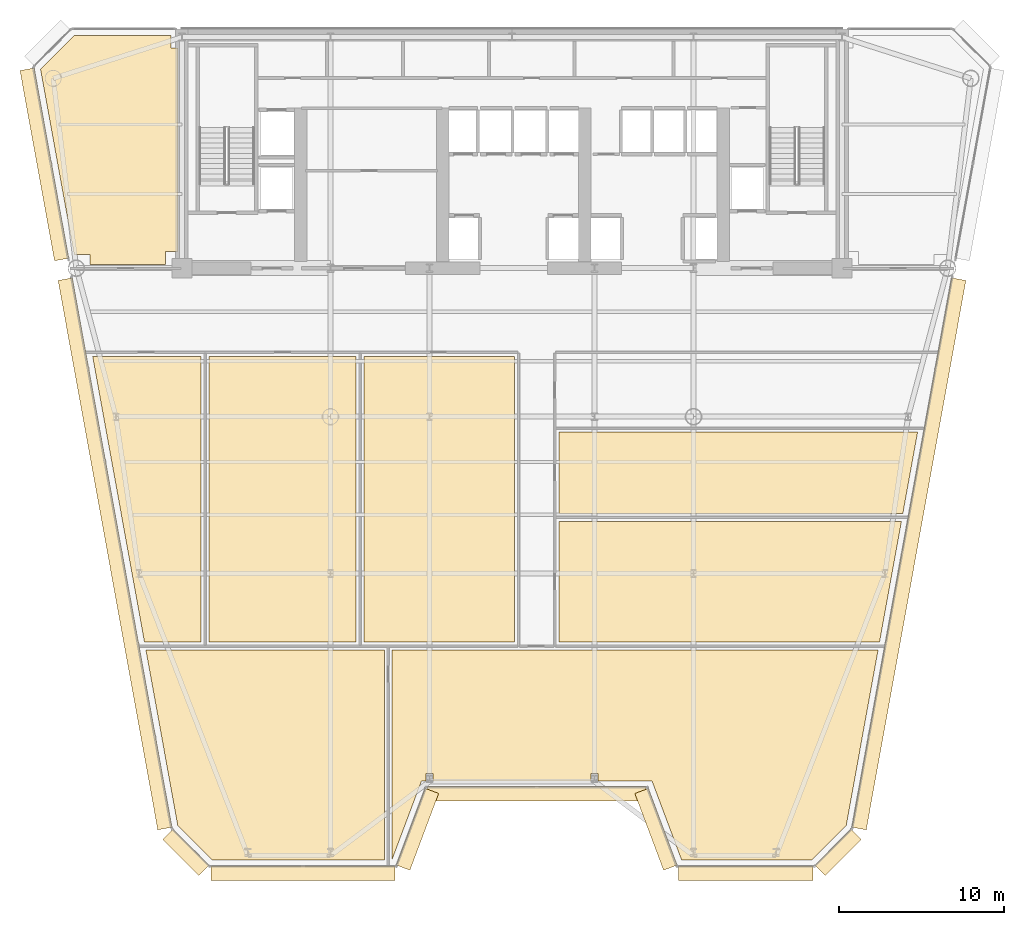
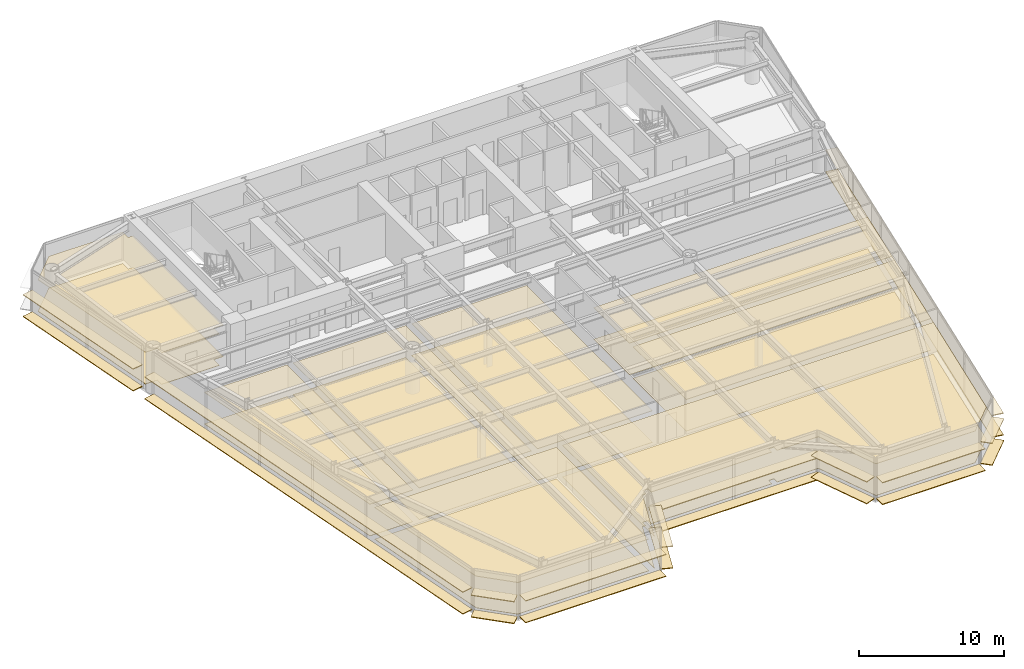
# One storey, part 11 of 14: 36 coverings.
"""IFC4 building model written with IfcOpenShell, lengths in metres."""

from ifc_helpers import new_model, si_unit, direction, frame, origin, origin_2d, place, context, subcontext, project, spatial, polyline, rectangle, outline, extrude, source, transform, mapped, material, layer, layer_set, type_object, element, save


model = new_model("IFC4")

# Units and contexts
model_context = context("Model", 3, precision=1e-05, world=origin(), true_north=direction((0.0, 1.0)))
body_context = subcontext(model_context, "Body", "Model", "MODEL_VIEW")
ifc_project = project(units=[si_unit("LENGTHUNIT", "METRE"), si_unit("AREAUNIT", "SQUARE_METRE"), si_unit("VOLUMEUNIT", "CUBIC_METRE"), si_unit("PLANEANGLEUNIT", "RADIAN"), si_unit("MASSUNIT", "GRAM", prefix="KILO")], contexts=[model_context])

# Site, building, storey
site_placement = place(None, origin())
site = spatial("IfcSite", under=ifc_project, at=site_placement, CompositionType="ELEMENT")
building_placement = place(site_placement, origin())
building = spatial("IfcBuilding", under=site, at=building_placement, Name="Vaeldorn Concourse Tower", CompositionType="ELEMENT")
storey_placement = place(building_placement, frame((0.0, 0.0, 141.39990234375)))
storey = spatial("IfcBuildingStorey", under=building, at=storey_placement, Name="L36", CompositionType="ELEMENT", Elevation=141.39990234375)

# Coverings
ifc_material_1 = material(Name="Acoustic Mineral Fibre Board", Category="gypsum")
ifc_layer_1 = layer(ifc_material_1, 0.0400390625)
ifc_layer_set_1 = layer_set([ifc_layer_1], Name="Acoustic Mineral Fibre Board")
covering_type_1 = type_object("IfcCoveringType", Name="COV-CEIL-ACOUSTIC", PredefinedType="CEILING", material=ifc_layer_set_1)
covering_1_placement = place(storey_placement, frame((0.0, 0.0, 2.650146484375)))
element("IfcCovering", 1, at=covering_1_placement, inside=storey, type_object=covering_type_1, Name="Suspended Acoustic Ceiling L36-4", PredefinedType="CEILING", context=body_context, shape_type="SweptSolid", body=[
    extrude(outline(polyline([(7.4658203125, 50.60009765625), (13.340087890625, 50.60009765625), (13.340087890625, 49.840087890625), (13.760009765625, 49.840087890625), (13.760009765625, 37.5), (13.0, 37.5), (13.0, 36.719970703125), (8.419921875, 36.719970703125), (8.419921875, 37.320068359375), (7.471435546875, 37.320068359375), (5.430908203125, 48.565185546875), (7.4658203125, 50.60009765625)])), origin(), (0.0, 0.0, 1.0), 0.0400390625),
])
covering_2_placement = place(storey_placement, frame((0.0, 0.0, 2.650146484375)))
element("IfcCovering", 2, at=covering_2_placement, inside=storey, type_object=covering_type_1, Name="Suspended Acoustic Ceiling L36-6", PredefinedType="CEILING", context=body_context, shape_type="SweptSolid", body=[
    extrude(outline(polyline([(26.260009765625, 13.360107421875), (26.260009765625, 0.63916015625), (15.84130859375, 0.63916015625), (13.746826171875, 2.7333984375), (11.818603515625, 13.360107421875), (26.260009765625, 13.360107421875)])), origin(), (0.0, 0.0, 1.0), 0.0400390625),
])
covering_3_placement = place(storey_placement, frame((0.0, 0.0, 2.650146484375)))
element("IfcCovering", 3, at=covering_3_placement, inside=storey, type_object=covering_type_1, Name="Suspended Acoustic Ceiling L36-7", PredefinedType="CEILING", context=body_context, shape_type="SweptSolid", body=[
    extrude(outline(polyline([(26.739990234375, 13.360107421875), (56.181396484375, 13.360107421875), (54.253173828125, 2.7333984375), (52.15869140625, 0.63916015625), (44.277099609375, 0.63916015625), (42.477294921875, 5.439208984375), (39.2119140625, 5.439208984375), (39.2119140625, 5.876220703125), (38.7880859375, 5.876220703125), (38.7880859375, 5.439208984375), (29.2119140625, 5.439208984375), (29.2119140625, 5.876220703125), (28.7880859375, 5.876220703125), (28.7880859375, 5.439208984375), (28.522705078125, 5.439208984375), (26.739990234375, 0.68505859375), (26.739990234375, 13.360107421875)])), origin(), (0.0, 0.0, 1.0), 0.0400390625),
])
covering_4_placement = place(storey_placement, frame((0.0, 0.0, 2.650146484375)))
element("IfcCovering", 4, at=covering_4_placement, inside=storey, type_object=covering_type_1, Name="Suspended Acoustic Ceiling L36-8", PredefinedType="CEILING", context=body_context, shape_type="SweptSolid", body=[
    extrude(outline(polyline([(15.159912109375, 31.159912109375), (15.159912109375, 13.840087890625), (11.731689453125, 13.840087890625), (8.589111328125, 31.159912109375), (15.159912109375, 31.159912109375)])), origin(), (0.0, 0.0, 1.0), 0.0400390625),
])
covering_5_placement = place(storey_placement, frame((0.0, 0.0, 2.650146484375)))
element("IfcCovering", 5, at=covering_5_placement, inside=storey, type_object=covering_type_1, Name="Suspended Acoustic Ceiling L36-9", PredefinedType="CEILING", context=body_context, shape_type="SweptSolid", body=[
    extrude(outline(polyline([(15.639892578125, 31.159912109375), (24.56005859375, 31.159912109375), (24.56005859375, 13.840087890625), (15.639892578125, 13.840087890625), (15.639892578125, 31.159912109375)])), origin(), (0.0, 0.0, 1.0), 0.0400390625),
])
covering_6_placement = place(storey_placement, frame((0.0, 0.0, 2.650146484375)))
element("IfcCovering", 6, at=covering_6_placement, inside=storey, type_object=covering_type_1, Name="Suspended Acoustic Ceiling L36-10", PredefinedType="CEILING", context=body_context, shape_type="SweptSolid", body=[
    extrude(outline(polyline([(25.0400390625, 31.159912109375), (34.159912109375, 31.159912109375), (34.159912109375, 13.840087890625), (25.0400390625, 13.840087890625), (25.0400390625, 31.159912109375)])), origin(), (0.0, 0.0, 1.0), 0.0400390625),
])
covering_7_placement = place(storey_placement, frame((0.0, 0.0, 2.650146484375)))
element("IfcCovering", 7, at=covering_7_placement, inside=storey, type_object=covering_type_1, Name="Suspended Acoustic Ceiling L36-11", PredefinedType="CEILING", context=body_context, shape_type="SweptSolid", body=[
    extrude(outline(polyline([(36.840087890625, 13.840087890625), (36.840087890625, 21.159912109375), (57.5966796875, 21.159912109375), (56.268310546875, 13.840087890625), (36.840087890625, 13.840087890625)])), origin(), (0.0, 0.0, 1.0), 0.0400390625),
])
covering_8_placement = place(storey_placement, frame((0.0, 0.0, 2.650146484375)))
element("IfcCovering", 8, at=covering_8_placement, inside=storey, type_object=covering_type_1, Name="Suspended Acoustic Ceiling L36-12", PredefinedType="CEILING", context=body_context, shape_type="SweptSolid", body=[
    extrude(outline(polyline([(36.840087890625, 21.639892578125), (36.840087890625, 26.56005859375), (58.576416015625, 26.56005859375), (57.68359375, 21.639892578125), (36.840087890625, 21.639892578125)])), origin(), (0.0, 0.0, 1.0), 0.0400390625),
])
ifc_material_2 = material(Name="Honed Limestone Terrazzo Flooring", Category="masonry")
ifc_layer_2 = layer(ifc_material_2, 0.0400390625)
ifc_layer_set_2 = layer_set([ifc_layer_2], Name="Honed Limestone Terrazzo Flooring")
covering_type_2 = type_object("IfcCoveringType", Name="COV-FLOOR-STONE", PredefinedType="FLOORING", material=ifc_layer_set_2)
covering_9_placement = place(storey_placement, origin())
element("IfcCovering", 9, at=covering_9_placement, inside=storey, type_object=covering_type_2, Name="Floor Finish Covering L36-4", PredefinedType="FLOORING", context=body_context, shape_type="SweptSolid", body=[
    extrude(outline(polyline([(7.4658203125, 50.60009765625), (13.340087890625, 50.60009765625), (13.340087890625, 49.840087890625), (13.760009765625, 49.840087890625), (13.760009765625, 37.5), (13.0, 37.5), (13.0, 36.719970703125), (8.419921875, 36.719970703125), (8.419921875, 37.320068359375), (7.471435546875, 37.320068359375), (5.430908203125, 48.565185546875), (7.4658203125, 50.60009765625)])), origin(), (0.0, 0.0, 1.0), 0.030029296875),
])
covering_10_placement = place(storey_placement, origin())
element("IfcCovering", 10, at=covering_10_placement, inside=storey, type_object=covering_type_2, Name="Floor Finish Covering L36-6", PredefinedType="FLOORING", context=body_context, shape_type="SweptSolid", body=[
    extrude(outline(polyline([(26.260009765625, 13.360107421875), (26.260009765625, 0.63916015625), (15.84130859375, 0.63916015625), (13.746826171875, 2.7333984375), (11.818603515625, 13.360107421875), (26.260009765625, 13.360107421875)])), origin(), (0.0, 0.0, 1.0), 0.030029296875),
])
covering_11_placement = place(storey_placement, origin())
element("IfcCovering", 11, at=covering_11_placement, inside=storey, type_object=covering_type_2, Name="Floor Finish Covering L36-7", PredefinedType="FLOORING", context=body_context, shape_type="SweptSolid", body=[
    extrude(outline(polyline([(26.739990234375, 13.360107421875), (56.181396484375, 13.360107421875), (54.253173828125, 2.7333984375), (52.15869140625, 0.63916015625), (44.277099609375, 0.63916015625), (42.477294921875, 5.439208984375), (39.2119140625, 5.439208984375), (39.2119140625, 5.876220703125), (38.7880859375, 5.876220703125), (38.7880859375, 5.439208984375), (29.2119140625, 5.439208984375), (29.2119140625, 5.876220703125), (28.7880859375, 5.876220703125), (28.7880859375, 5.439208984375), (28.522705078125, 5.439208984375), (26.739990234375, 0.68505859375), (26.739990234375, 13.360107421875)])), origin(), (0.0, 0.0, 1.0), 0.030029296875),
])
covering_12_placement = place(storey_placement, origin())
element("IfcCovering", 12, at=covering_12_placement, inside=storey, type_object=covering_type_2, Name="Floor Finish Covering L36-8", PredefinedType="FLOORING", context=body_context, shape_type="SweptSolid", body=[
    extrude(outline(polyline([(15.159912109375, 31.159912109375), (15.159912109375, 13.840087890625), (11.731689453125, 13.840087890625), (8.589111328125, 31.159912109375), (15.159912109375, 31.159912109375)])), origin(), (0.0, 0.0, 1.0), 0.030029296875),
])
covering_13_placement = place(storey_placement, origin())
element("IfcCovering", 13, at=covering_13_placement, inside=storey, type_object=covering_type_2, Name="Floor Finish Covering L36-9", PredefinedType="FLOORING", context=body_context, shape_type="SweptSolid", body=[
    extrude(outline(polyline([(15.639892578125, 31.159912109375), (24.56005859375, 31.159912109375), (24.56005859375, 13.840087890625), (15.639892578125, 13.840087890625), (15.639892578125, 31.159912109375)])), origin(), (0.0, 0.0, 1.0), 0.030029296875),
])
covering_14_placement = place(storey_placement, origin())
element("IfcCovering", 14, at=covering_14_placement, inside=storey, type_object=covering_type_2, Name="Floor Finish Covering L36-10", PredefinedType="FLOORING", context=body_context, shape_type="SweptSolid", body=[
    extrude(outline(polyline([(25.0400390625, 31.159912109375), (34.159912109375, 31.159912109375), (34.159912109375, 13.840087890625), (25.0400390625, 13.840087890625), (25.0400390625, 31.159912109375)])), origin(), (0.0, 0.0, 1.0), 0.030029296875),
])
covering_15_placement = place(storey_placement, origin())
element("IfcCovering", 15, at=covering_15_placement, inside=storey, type_object=covering_type_2, Name="Floor Finish Covering L36-11", PredefinedType="FLOORING", context=body_context, shape_type="SweptSolid", body=[
    extrude(outline(polyline([(36.840087890625, 13.840087890625), (36.840087890625, 21.159912109375), (57.5966796875, 21.159912109375), (56.268310546875, 13.840087890625), (36.840087890625, 13.840087890625)])), origin(), (0.0, 0.0, 1.0), 0.030029296875),
])
covering_16_placement = place(storey_placement, origin())
element("IfcCovering", 16, at=covering_16_placement, inside=storey, type_object=covering_type_2, Name="Floor Finish Covering L36-12", PredefinedType="FLOORING", context=body_context, shape_type="SweptSolid", body=[
    extrude(outline(polyline([(36.840087890625, 21.639892578125), (36.840087890625, 26.56005859375), (58.576416015625, 26.56005859375), (57.68359375, 21.639892578125), (36.840087890625, 21.639892578125)])), origin(), (0.0, 0.0, 1.0), 0.030029296875),
])
ifc_material_3 = material(Name="Anodised Bronze Aluminium", Category="aluminium")
ifc_layer_3 = layer(ifc_material_3, 0.06494140625)
ifc_layer_set_3 = layer_set([ifc_layer_3], Name="Anodised Bronze Aluminium")
covering_type_3 = type_object("IfcCoveringType", Name="SD-BRONZE-SUNSHADE", PredefinedType="USERDEFINED", material=ifc_layer_set_3)
shared_shape_1 = source(origin(), body_context, "Body", "SweptSolid", [
    extrude(rectangle(XDim=4.96630859375, YDim=0.8798828125, at=origin_2d()), origin(), (0.0, 0.0, 1.0), 0.06494140625),
])
for number, where, z_axis, x_axis, name in (
    (17, (28.2744140625, 2.498779296875, 0.047607421875), (0.0, 0.0, 1.0), (0.351122702609, 0.936329454686, 0.0), "Horizontal Bronze Sunshade L36-E02.1.1"),
    (18, (28.2744140625, 2.498779296875, 1.86767578125), (0.0, 0.0, 1.0), (0.351122702609, 0.936329454686, 0.0), "Horizontal Bronze Sunshade L36-E02.1.2"),
    (19, (42.7255859375, 2.498779296875, 0.047607421875), (0.0, 0.0, 1.0), (0.351122702609, -0.936329454686, 0.0), "Horizontal Bronze Sunshade L36-E04.1.1"),
    (20, (42.7255859375, 2.498779296875, 1.86767578125), (0.0, 0.0, 1.0), (0.351122702609, -0.936329454686, 0.0), "Horizontal Bronze Sunshade L36-E04.1.2"),
):
    element("IfcCovering", number, at=place(storey_placement, frame(where, z_axis=z_axis, x_axis=x_axis)), inside=storey, type_object=covering_type_3, Name=name, ObjectType="SUNSHADE", PredefinedType="USERDEFINED", context=body_context, shape_type="MappedRepresentation", body=[
        mapped(shared_shape_1, transform((0.0, 0.0, 0.0), scale=1.0)),
    ])
shared_shape_2 = source(origin(), body_context, "Body", "SweptSolid", [
    extrude(rectangle(XDim=13.239990234375, YDim=0.8798828125, at=origin_2d()), origin(), (0.0, 0.0, 1.0), 0.06494140625),
])
for number, where, z_axis, x_axis, name in (
    (21, (35.5, 4.63916015625, 0.047607421875), (0.0, 0.0, 1.0), (1.0, 0.0, 0.0), "Horizontal Bronze Sunshade L36-E03.1.1"),
    (22, (35.5, 4.63916015625, 1.86767578125), (0.0, 0.0, 1.0), (1.0, 0.0, 0.0), "Horizontal Bronze Sunshade L36-E03.1.2"),
):
    element("IfcCovering", number, at=place(storey_placement, frame(where, z_axis=z_axis, x_axis=x_axis)), inside=storey, type_object=covering_type_3, Name=name, ObjectType="SUNSHADE", PredefinedType="USERDEFINED", context=body_context, shape_type="MappedRepresentation", body=[
        mapped(shared_shape_2, transform((0.0, 0.0, 0.0), scale=1.0)),
    ])
shared_shape_3 = source(origin(), body_context, "Body", "SweptSolid", [
    extrude(rectangle(XDim=3.0927734375, YDim=0.8798828125, at=origin_2d()), origin(), (0.0, 0.0, 1.0), 0.06494140625),
])
for number, where, z_axis, x_axis, name in (
    (23, (53.75732421875, 1.106201171875, 0.047607421875), (0.0, 0.0, 1.0), (0.707106781187, 0.707106781187, 0.0), "Horizontal Bronze Sunshade L36-E06.1.1"),
    (24, (53.75732421875, 1.106201171875, 1.86767578125), (0.0, 0.0, 1.0), (0.707106781187, 0.707106781187, 0.0), "Horizontal Bronze Sunshade L36-E06.1.2"),
    (25, (14.24267578125, 1.106201171875, 0.047607421875), (0.0, 0.0, 1.0), (0.707106781187, -0.707106781187, 0.0), "Horizontal Bronze Sunshade L36-E12.1.1"),
    (26, (14.24267578125, 1.106201171875, 1.86767578125), (0.0, 0.0, 1.0), (0.707106781187, -0.707106781187, 0.0), "Horizontal Bronze Sunshade L36-E12.1.2"),
):
    element("IfcCovering", number, at=place(storey_placement, frame(where, z_axis=z_axis, x_axis=x_axis)), inside=storey, type_object=covering_type_3, Name=name, ObjectType="SUNSHADE", PredefinedType="USERDEFINED", context=body_context, shape_type="MappedRepresentation", body=[
        mapped(shared_shape_3, transform((0.0, 0.0, 0.0), scale=1.0)),
    ])
shared_shape_4 = source(origin(), body_context, "Body", "SweptSolid", [
    extrude(rectangle(XDim=11.16455078125, YDim=0.8798828125, at=origin_2d()), origin(), (0.0, 0.0, 1.0), 0.06494140625),
])
for number, where, z_axis, x_axis, name in (
    (27, (21.337646484375, -0.160888671875, 0.047607421875), (0.0, 0.0, 1.0), (1.0, 0.0, 0.0), "Horizontal Bronze Sunshade L36-E01.1.1"),
    (28, (21.337646484375, -0.160888671875, 1.86767578125), (0.0, 0.0, 1.0), (1.0, 0.0, 0.0), "Horizontal Bronze Sunshade L36-E01.1.2"),
):
    element("IfcCovering", number, at=place(storey_placement, frame(where, z_axis=z_axis, x_axis=x_axis)), inside=storey, type_object=covering_type_3, Name=name, ObjectType="SUNSHADE", PredefinedType="USERDEFINED", context=body_context, shape_type="MappedRepresentation", body=[
        mapped(shared_shape_4, transform((0.0, 0.0, 0.0), scale=1.0)),
    ])
shared_shape_5 = source(origin(), body_context, "Body", "SweptSolid", [
    extrude(rectangle(XDim=8.16455078125, YDim=0.8798828125, at=origin_2d()), origin(), (0.0, 0.0, 1.0), 0.06494140625),
])
for number, where, z_axis, x_axis, name in (
    (29, (48.162353515625, -0.160888671875, 0.047607421875), (0.0, 0.0, 1.0), (1.0, 0.0, 0.0), "Horizontal Bronze Sunshade L36-E05.1.1"),
    (30, (48.162353515625, -0.160888671875, 1.86767578125), (0.0, 0.0, 1.0), (1.0, 0.0, 0.0), "Horizontal Bronze Sunshade L36-E05.1.2"),
):
    element("IfcCovering", number, at=place(storey_placement, frame(where, z_axis=z_axis, x_axis=x_axis)), inside=storey, type_object=covering_type_3, Name=name, ObjectType="SUNSHADE", PredefinedType="USERDEFINED", context=body_context, shape_type="MappedRepresentation", body=[
        mapped(shared_shape_5, transform((0.0, 0.0, 0.0), scale=1.0)),
    ])
shared_shape_6 = source(origin(), body_context, "Body", "SweptSolid", [
    extrude(rectangle(XDim=33.828857421875, YDim=0.8798828125, at=origin_2d()), origin(), (0.0, 0.0, 1.0), 0.06494140625),
])
for number, where, z_axis, x_axis, name in (
    (31, (58.052001953125, 19.189208984375, 0.047607421875), (0.0, 0.0, 1.0), (0.178527455614, 0.983934930568, 0.0), "Horizontal Bronze Sunshade L36-E07.1.1"),
    (32, (58.052001953125, 19.189208984375, 1.86767578125), (0.0, 0.0, 1.0), (0.178527455614, 0.983934930568, 0.0), "Horizontal Bronze Sunshade L36-E07.1.2"),
    (33, (9.947998046875, 19.189208984375, 0.047607421875), (0.0, 0.0, 1.0), (0.178527455614, -0.983934930568, 0.0), "Horizontal Bronze Sunshade L36-E11.2.1"),
    (34, (9.947998046875, 19.189208984375, 1.86767578125), (0.0, 0.0, 1.0), (0.178527455614, -0.983934930568, 0.0), "Horizontal Bronze Sunshade L36-E11.2.2"),
):
    element("IfcCovering", number, at=place(storey_placement, frame(where, z_axis=z_axis, x_axis=x_axis)), inside=storey, type_object=covering_type_3, Name=name, ObjectType="SUNSHADE", PredefinedType="USERDEFINED", context=body_context, shape_type="MappedRepresentation", body=[
        mapped(shared_shape_6, transform((0.0, 0.0, 0.0), scale=1.0)),
    ])
shared_shape_7 = source(origin(), body_context, "Body", "SweptSolid", [
    extrude(rectangle(XDim=11.712646484375, YDim=0.8798828125, at=origin_2d()), origin(), (0.0, 0.0, 1.0), 0.06494140625),
])
for number, where, z_axis, x_axis, name in (
    (35, (5.666259765625, 42.78759765625, 0.047607421875), (0.0, 0.0, 1.0), (0.178527455614, -0.983934930568, 0.0), "Horizontal Bronze Sunshade L36-E11.1.1"),
    (36, (5.666259765625, 42.78759765625, 1.86767578125), (0.0, 0.0, 1.0), (0.178527455614, -0.983934930568, 0.0), "Horizontal Bronze Sunshade L36-E11.1.2"),
):
    element("IfcCovering", number, at=place(storey_placement, frame(where, z_axis=z_axis, x_axis=x_axis)), inside=storey, type_object=covering_type_3, Name=name, ObjectType="SUNSHADE", PredefinedType="USERDEFINED", context=body_context, shape_type="MappedRepresentation", body=[
        mapped(shared_shape_7, transform((0.0, 0.0, 0.0), scale=1.0)),
    ])

save(model, "model.ifc")
